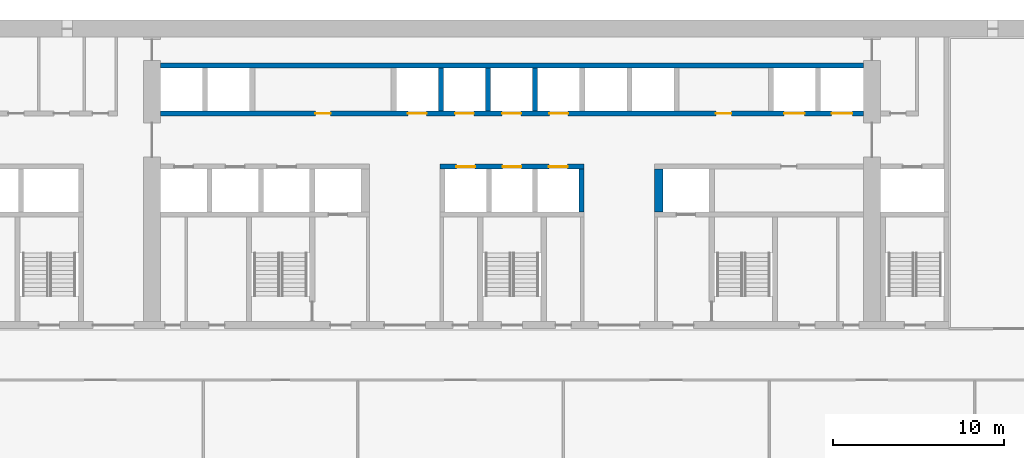
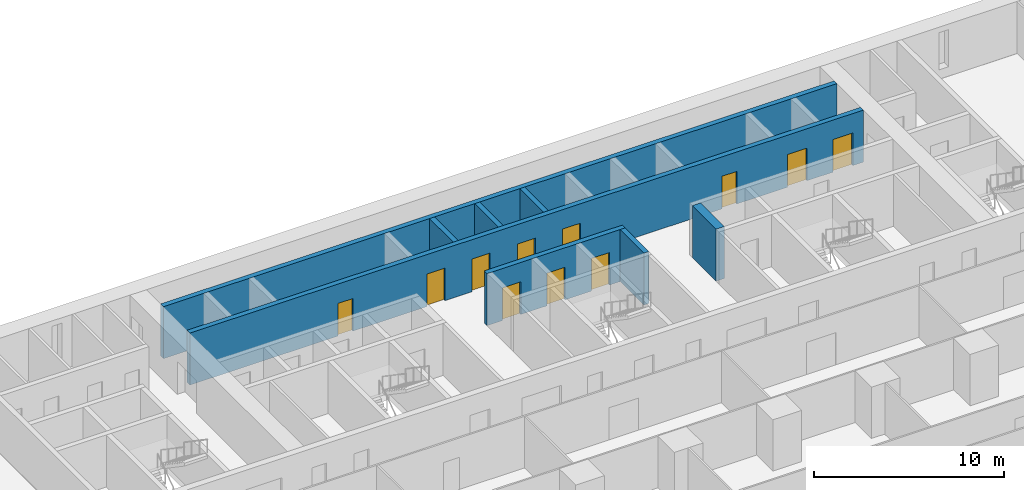
# One storey, part 11 of 18: 11 doors, 8 walls, 11 openings.
"""IFC4 building model written with IfcOpenShell, lengths in metres."""

from ifc_helpers import new_model, si_unit, direction, frame, frame_2d, origin, place, context, subcontext, project, spatial, rectangle, extrude, material, layer, layer_set, type_object, element, fill, save


model = new_model("IFC4")

# Units and contexts
model_context = context("Model", 3, precision=1e-05, world=origin(), true_north=direction((0.0, 1.0)))
body_context = subcontext(model_context, "Body", "Model", "MODEL_VIEW")
ifc_project = project(units=[si_unit("LENGTHUNIT", "METRE"), si_unit("AREAUNIT", "SQUARE_METRE"), si_unit("VOLUMEUNIT", "CUBIC_METRE"), si_unit("PLANEANGLEUNIT", "RADIAN"), si_unit("MASSUNIT", "GRAM", prefix="KILO")], contexts=[model_context])

# Site, building, storey
site_placement = place(None, origin())
site = spatial("IfcSite", under=ifc_project, at=site_placement, CompositionType="ELEMENT")
building_placement = place(site_placement, origin())
building = spatial("IfcBuilding", under=site, at=building_placement, Name="Calvaro Tower", CompositionType="ELEMENT")
storey_placement = place(building_placement, frame((0.0, 0.0, 37.5)))
storey = spatial("IfcBuildingStorey", under=building, at=storey_placement, Name="L08", CompositionType="ELEMENT", Elevation=37.5)

# Wall, openings, doors
ifc_material_1 = material(Name="Concrete C80/95", Category="concrete")
ifc_layer_1 = layer(ifc_material_1, 0.300048828125)
ifc_layer_set_1 = layer_set([ifc_layer_1], Name="Concrete C80/95")
wall_type_1 = type_object("IfcWallType", Name="Core wall C80/95 300", PredefinedType="SHEAR", material=ifc_layer_set_1)
wall_1_placement = place(storey_placement, frame((34.800048828125, 37.449951171875, 0.0), z_axis=(0.0, 0.0, 1.0), x_axis=(1.0, 0.0, 0.0)))
wall_1 = element("IfcWall", 1, at=wall_1_placement, inside=storey, type_object=wall_type_1, Name="Core wall, lift shaft", PredefinedType="SHEAR", context=body_context, shape_type="SweptSolid", body=[
    extrude(rectangle(XDim=8.39990234375, YDim=0.300048828125, at=frame_2d((4.199951171875, 0.0))), origin(), (0.0, 0.0, 1.0), 3.35009765625),
])
opening_1_placement = place(wall_1_placement, frame((0.949951171875, 0.0, 0.0)))
opening_1 = element("IfcOpeningElement", 2, at=opening_1_placement, cuts=wall_1, Name="Opening LR4", PredefinedType="OPENING", context=body_context, shape_type="SweptSolid", body=[
    extrude(rectangle(XDim=1.10009765625, YDim=2.10009765625, at=frame_2d((0.550048828125, 1.050048828125))), frame((0.0, 0.159912109375, 0.0), z_axis=(0.0, -1.0, 0.0), x_axis=(1.0, 0.0, 0.0)), (0.0, 0.0, 1.0), 0.320068359375),
])
opening_2_placement = place(wall_1_placement, frame((3.64990234375, 0.0, 0.0)))
opening_2 = element("IfcOpeningElement", 3, at=opening_2_placement, cuts=wall_1, Name="Opening LR5", PredefinedType="OPENING", context=body_context, shape_type="SweptSolid", body=[
    extrude(rectangle(XDim=1.10009765625, YDim=2.10009765625, at=frame_2d((0.550048828125, 1.050048828125))), frame((0.0, 0.159912109375, 0.0), z_axis=(0.0, -1.0, 0.0), x_axis=(1.0, 0.0, 0.0)), (0.0, 0.0, 1.0), 0.320068359375),
])
opening_3_placement = place(wall_1_placement, frame((6.35009765625, 0.0, 0.0)))
opening_3 = element("IfcOpeningElement", 4, at=opening_3_placement, cuts=wall_1, Name="Opening LR6", PredefinedType="OPENING", context=body_context, shape_type="SweptSolid", body=[
    extrude(rectangle(XDim=1.10009765625, YDim=2.10009765625, at=frame_2d((0.550048828125, 1.050048828125))), frame((0.0, 0.159912109375, 0.0), z_axis=(0.0, -1.0, 0.0), x_axis=(1.0, 0.0, 0.0)), (0.0, 0.0, 1.0), 0.320068359375),
])
ifc_material_2 = material(Name="Stainless steel", Category="steel")
door_type_1 = type_object("IfcDoorType", Name="Landing door 1100 E 60", OperationType="SLIDING_TO_LEFT", PredefinedType="DOOR", material=ifc_material_2)
door_1_placement = place(opening_1_placement, origin())
door_1 = element("IfcDoor", 5, at=door_1_placement, inside=storey, type_object=door_type_1, Name="Landing door LR4", OperationType="SLIDING_TO_LEFT", OverallHeight=2.10009765625, OverallWidth=1.10009765625, PredefinedType="DOOR", context=body_context, shape_type="SweptSolid", body=[
    extrude(rectangle(XDim=1.10009765625, YDim=2.10009765625, at=frame_2d((0.550048828125, 1.050048828125))), frame((0.0, 0.02490234375, 0.0), z_axis=(0.0, -1.0, 0.0), x_axis=(1.0, 0.0, 0.0)), (0.0, 0.0, 1.0), 0.050048828125),
])
fill(opening_1, door_1)
door_2_placement = place(opening_2_placement, origin())
door_2 = element("IfcDoor", 6, at=door_2_placement, inside=storey, type_object=door_type_1, Name="Landing door LR5", OperationType="SLIDING_TO_LEFT", OverallHeight=2.10009765625, OverallWidth=1.10009765625, PredefinedType="DOOR", context=body_context, shape_type="SweptSolid", body=[
    extrude(rectangle(XDim=1.10009765625, YDim=2.10009765625, at=frame_2d((0.550048828125, 1.050048828125))), frame((0.0, 0.02490234375, 0.0), z_axis=(0.0, -1.0, 0.0), x_axis=(1.0, 0.0, 0.0)), (0.0, 0.0, 1.0), 0.050048828125),
])
fill(opening_2, door_2)
door_3_placement = place(opening_3_placement, origin())
door_3 = element("IfcDoor", 7, at=door_3_placement, inside=storey, type_object=door_type_1, Name="Landing door LR6", OperationType="SLIDING_TO_LEFT", OverallHeight=2.10009765625, OverallWidth=1.10009765625, PredefinedType="DOOR", context=body_context, shape_type="SweptSolid", body=[
    extrude(rectangle(XDim=1.10009765625, YDim=2.10009765625, at=frame_2d((0.550048828125, 1.050048828125))), frame((0.0, 0.02490234375, 0.0), z_axis=(0.0, -1.0, 0.0), x_axis=(1.0, 0.0, 0.0)), (0.0, 0.0, 1.0), 0.050048828125),
])
fill(opening_3, door_3)

# Wall
wall_2_placement = place(storey_placement, frame((43.050048828125, 34.800048828125, 0.0), z_axis=(0.0, 0.0, 1.0), x_axis=(0.0, 1.0, 0.0)))
element("IfcWall", 8, at=wall_2_placement, inside=storey, type_object=wall_type_1, Name="Core wall, lift shaft", PredefinedType="SHEAR", context=body_context, shape_type="SweptSolid", body=[
    extrude(rectangle(XDim=2.5, YDim=0.300048828125, at=frame_2d((1.25, 0.0))), origin(), (0.0, 0.0, 1.0), 3.35009765625),
])

# Wall, openings, doors
wall_3_placement = place(storey_placement, frame((18.5, 40.550048828125, 0.0), z_axis=(0.0, 0.0, 1.0), x_axis=(1.0, 0.0, 0.0)))
wall_3 = element("IfcWall", 9, at=wall_3_placement, inside=storey, type_object=wall_type_1, Name="Core wall, bay", PredefinedType="SHEAR", context=body_context, shape_type="SweptSolid", body=[
    extrude(rectangle(XDim=41.0, YDim=0.300048828125, at=frame_2d((20.5, 0.0))), origin(), (0.0, 0.0, 1.0), 3.35009765625),
])
opening_4_placement = place(wall_3_placement, frame((9.02490234375, 0.0, 0.0)))
opening_4 = element("IfcOpeningElement", 10, at=opening_4_placement, cuts=wall_3, Name="Opening RD9E", PredefinedType="OPENING", context=body_context, shape_type="SweptSolid", body=[
    extrude(rectangle(XDim=0.89990234375, YDim=2.10009765625, at=frame_2d((0.449951171875, 1.050048828125))), frame((0.0, 0.159912109375, 0.0), z_axis=(0.0, -1.0, 0.0), x_axis=(1.0, 0.0, 0.0)), (0.0, 0.0, 1.0), 0.320068359375),
])
opening_5_placement = place(wall_3_placement, frame((32.39990234375, 0.0, 0.0)))
opening_5 = element("IfcOpeningElement", 11, at=opening_5_placement, cuts=wall_3, Name="Opening RD9E", PredefinedType="OPENING", context=body_context, shape_type="SweptSolid", body=[
    extrude(rectangle(XDim=0.89990234375, YDim=2.10009765625, at=frame_2d((0.449951171875, 1.050048828125))), frame((0.0, 0.159912109375, 0.0), z_axis=(0.0, -1.0, 0.0), x_axis=(1.0, 0.0, 0.0)), (0.0, 0.0, 1.0), 0.320068359375),
])
opening_6_placement = place(wall_3_placement, frame((14.425048828125, 0.0, 0.0)))
opening_6 = element("IfcOpeningElement", 12, at=opening_6_placement, cuts=wall_3, Name="Opening LR7", PredefinedType="OPENING", context=body_context, shape_type="SweptSolid", body=[
    extrude(rectangle(XDim=1.10009765625, YDim=2.10009765625, at=frame_2d((0.550048828125, 1.050048828125))), frame((0.0, 0.159912109375, 0.0), z_axis=(0.0, -1.0, 0.0), x_axis=(1.0, 0.0, 0.0)), (0.0, 0.0, 1.0), 0.320068359375),
])
opening_7_placement = place(wall_3_placement, frame((17.175048828125, 0.0, 0.0)))
opening_7 = element("IfcOpeningElement", 13, at=opening_7_placement, cuts=wall_3, Name="Opening LR8", PredefinedType="OPENING", context=body_context, shape_type="SweptSolid", body=[
    extrude(rectangle(XDim=1.10009765625, YDim=2.10009765625, at=frame_2d((0.550048828125, 1.050048828125))), frame((0.0, 0.159912109375, 0.0), z_axis=(0.0, -1.0, 0.0), x_axis=(1.0, 0.0, 0.0)), (0.0, 0.0, 1.0), 0.320068359375),
])
opening_8_placement = place(wall_3_placement, frame((19.925048828125, 0.0, 0.0)))
opening_8 = element("IfcOpeningElement", 14, at=opening_8_placement, cuts=wall_3, Name="Opening LR9", PredefinedType="OPENING", context=body_context, shape_type="SweptSolid", body=[
    extrude(rectangle(XDim=1.10009765625, YDim=2.10009765625, at=frame_2d((0.550048828125, 1.050048828125))), frame((0.0, 0.159912109375, 0.0), z_axis=(0.0, -1.0, 0.0), x_axis=(1.0, 0.0, 0.0)), (0.0, 0.0, 1.0), 0.320068359375),
])
opening_9_placement = place(wall_3_placement, frame((22.675048828125, 0.0, 0.0)))
opening_9 = element("IfcOpeningElement", 15, at=opening_9_placement, cuts=wall_3, Name="Opening LR10", PredefinedType="OPENING", context=body_context, shape_type="SweptSolid", body=[
    extrude(rectangle(XDim=1.10009765625, YDim=2.10009765625, at=frame_2d((0.550048828125, 1.050048828125))), frame((0.0, 0.159912109375, 0.0), z_axis=(0.0, -1.0, 0.0), x_axis=(1.0, 0.0, 0.0)), (0.0, 0.0, 1.0), 0.320068359375),
])
opening_10_placement = place(wall_3_placement, frame((36.375, 0.0, 0.0)))
opening_10 = element("IfcOpeningElement", 16, at=opening_10_placement, cuts=wall_3, Name="Opening SV1", PredefinedType="OPENING", context=body_context, shape_type="SweptSolid", body=[
    extrude(rectangle(XDim=1.199951171875, YDim=2.10009765625, at=frame_2d((0.60009765625, 1.050048828125))), frame((0.0, 0.159912109375, 0.0), z_axis=(0.0, -1.0, 0.0), x_axis=(1.0, 0.0, 0.0)), (0.0, 0.0, 1.0), 0.320068359375),
])
opening_11_placement = place(wall_3_placement, frame((39.14990234375, 0.0, 0.0)))
opening_11 = element("IfcOpeningElement", 17, at=opening_11_placement, cuts=wall_3, Name="Opening SV2", PredefinedType="OPENING", context=body_context, shape_type="SweptSolid", body=[
    extrude(rectangle(XDim=1.199951171875, YDim=2.10009765625, at=frame_2d((0.60009765625, 1.050048828125))), frame((0.0, 0.159912109375, 0.0), z_axis=(0.0, -1.0, 0.0), x_axis=(1.0, 0.0, 0.0)), (0.0, 0.0, 1.0), 0.320068359375),
])
door_4_placement = place(opening_6_placement, origin())
door_4 = element("IfcDoor", 18, at=door_4_placement, inside=storey, type_object=door_type_1, Name="Landing door LR7", OperationType="SLIDING_TO_LEFT", OverallHeight=2.10009765625, OverallWidth=1.10009765625, PredefinedType="DOOR", context=body_context, shape_type="SweptSolid", body=[
    extrude(rectangle(XDim=1.10009765625, YDim=2.10009765625, at=frame_2d((0.550048828125, 1.050048828125))), frame((0.0, 0.02490234375, 0.0), z_axis=(0.0, -1.0, 0.0), x_axis=(1.0, 0.0, 0.0)), (0.0, 0.0, 1.0), 0.050048828125),
])
fill(opening_6, door_4)
door_5_placement = place(opening_7_placement, origin())
door_5 = element("IfcDoor", 19, at=door_5_placement, inside=storey, type_object=door_type_1, Name="Landing door LR8", OperationType="SLIDING_TO_LEFT", OverallHeight=2.10009765625, OverallWidth=1.10009765625, PredefinedType="DOOR", context=body_context, shape_type="SweptSolid", body=[
    extrude(rectangle(XDim=1.10009765625, YDim=2.10009765625, at=frame_2d((0.550048828125, 1.050048828125))), frame((0.0, 0.02490234375, 0.0), z_axis=(0.0, -1.0, 0.0), x_axis=(1.0, 0.0, 0.0)), (0.0, 0.0, 1.0), 0.050048828125),
])
fill(opening_7, door_5)
door_6_placement = place(opening_8_placement, origin())
door_6 = element("IfcDoor", 20, at=door_6_placement, inside=storey, type_object=door_type_1, Name="Landing door LR9", OperationType="SLIDING_TO_LEFT", OverallHeight=2.10009765625, OverallWidth=1.10009765625, PredefinedType="DOOR", context=body_context, shape_type="SweptSolid", body=[
    extrude(rectangle(XDim=1.10009765625, YDim=2.10009765625, at=frame_2d((0.550048828125, 1.050048828125))), frame((0.0, 0.02490234375, 0.0), z_axis=(0.0, -1.0, 0.0), x_axis=(1.0, 0.0, 0.0)), (0.0, 0.0, 1.0), 0.050048828125),
])
fill(opening_8, door_6)
door_7_placement = place(opening_9_placement, origin())
door_7 = element("IfcDoor", 21, at=door_7_placement, inside=storey, type_object=door_type_1, Name="Landing door LR10", OperationType="SLIDING_TO_LEFT", OverallHeight=2.10009765625, OverallWidth=1.10009765625, PredefinedType="DOOR", context=body_context, shape_type="SweptSolid", body=[
    extrude(rectangle(XDim=1.10009765625, YDim=2.10009765625, at=frame_2d((0.550048828125, 1.050048828125))), frame((0.0, 0.02490234375, 0.0), z_axis=(0.0, -1.0, 0.0), x_axis=(1.0, 0.0, 0.0)), (0.0, 0.0, 1.0), 0.050048828125),
])
fill(opening_9, door_7)
ifc_material_3 = material(Name="Stainless steel", Category="steel")
door_type_2 = type_object("IfcDoorType", Name="Landing door 1200 E 60", OperationType="SLIDING_TO_LEFT", PredefinedType="DOOR", material=ifc_material_3)
door_8_placement = place(opening_10_placement, origin())
door_8 = element("IfcDoor", 22, at=door_8_placement, inside=storey, type_object=door_type_2, Name="Landing door SV1", OperationType="SLIDING_TO_LEFT", OverallHeight=2.10009765625, OverallWidth=1.199951171875, PredefinedType="DOOR", context=body_context, shape_type="SweptSolid", body=[
    extrude(rectangle(XDim=1.199951171875, YDim=2.10009765625, at=frame_2d((0.60009765625, 1.050048828125))), frame((0.0, 0.02490234375, 0.0), z_axis=(0.0, -1.0, 0.0), x_axis=(1.0, 0.0, 0.0)), (0.0, 0.0, 1.0), 0.050048828125),
])
fill(opening_10, door_8)
door_9_placement = place(opening_11_placement, origin())
door_9 = element("IfcDoor", 23, at=door_9_placement, inside=storey, type_object=door_type_2, Name="Landing door SV2", OperationType="SLIDING_TO_LEFT", OverallHeight=2.10009765625, OverallWidth=1.199951171875, PredefinedType="DOOR", context=body_context, shape_type="SweptSolid", body=[
    extrude(rectangle(XDim=1.199951171875, YDim=2.10009765625, at=frame_2d((0.60009765625, 1.050048828125))), frame((0.0, 0.02490234375, 0.0), z_axis=(0.0, -1.0, 0.0), x_axis=(1.0, 0.0, 0.0)), (0.0, 0.0, 1.0), 0.050048828125),
])
fill(opening_11, door_9)
ifc_material_4 = material(Name="Steel door set", Category="steel")
door_type_3 = type_object("IfcDoorType", Name="Room door 900 FD60", OperationType="SINGLE_SWING_LEFT", PredefinedType="DOOR", material=ifc_material_4)
door_10_placement = place(opening_4_placement, origin())
door_10 = element("IfcDoor", 24, at=door_10_placement, inside=storey, type_object=door_type_3, Name="Room door", OperationType="SINGLE_SWING_RIGHT", OverallHeight=2.10009765625, OverallWidth=0.89990234375, PredefinedType="DOOR", context=body_context, shape_type="SweptSolid", body=[
    extrude(rectangle(XDim=0.89990234375, YDim=2.10009765625, at=frame_2d((0.449951171875, 1.050048828125))), frame((0.0, 0.02490234375, 0.0), z_axis=(0.0, -1.0, 0.0), x_axis=(1.0, 0.0, 0.0)), (0.0, 0.0, 1.0), 0.050048828125),
])
fill(opening_4, door_10)
door_11_placement = place(opening_5_placement, origin())
door_11 = element("IfcDoor", 25, at=door_11_placement, inside=storey, type_object=door_type_3, Name="Room door", OperationType="SINGLE_SWING_LEFT", OverallHeight=2.10009765625, OverallWidth=0.89990234375, PredefinedType="DOOR", context=body_context, shape_type="SweptSolid", body=[
    extrude(rectangle(XDim=0.89990234375, YDim=2.10009765625, at=frame_2d((0.449951171875, 1.050048828125))), frame((0.0, 0.02490234375, 0.0), z_axis=(0.0, -1.0, 0.0), x_axis=(1.0, 0.0, 0.0)), (0.0, 0.0, 1.0), 0.050048828125),
])
fill(opening_5, door_11)

# Walls
wall_4_placement = place(storey_placement, frame((18.5, 43.35009765625, 0.0), z_axis=(0.0, 0.0, 1.0), x_axis=(1.0, 0.0, 0.0)))
element("IfcWall", 26, at=wall_4_placement, inside=storey, type_object=wall_type_1, Name="Core wall, lift shaft", PredefinedType="SHEAR", context=body_context, shape_type="SweptSolid", body=[
    extrude(rectangle(XDim=41.0, YDim=0.300048828125, at=frame_2d((20.5, 0.0))), origin(), (0.0, 0.0, 1.0), 3.35009765625),
])
for number, where, z_axis, x_axis, name in (
    (27, (34.85009765625, 40.699951171875, 0.0), (0.0, 0.0, 1.0), (0.0, 1.0, 0.0), "Core wall, lift shaft"),
    (28, (37.60009765625, 40.699951171875, 0.0), (0.0, 0.0, 1.0), (0.0, 1.0, 0.0), "Core wall, lift shaft"),
    (29, (40.35009765625, 40.699951171875, 0.0), (0.0, 0.0, 1.0), (0.0, 1.0, 0.0), "Core wall, lift shaft"),
):
    element("IfcWall", number, at=place(storey_placement, frame(where, z_axis=z_axis, x_axis=x_axis)), inside=storey, type_object=wall_type_1, Name=name, PredefinedType="SHEAR", context=body_context, shape_type="SweptSolid", body=[
        extrude(rectangle(XDim=2.5, YDim=0.300048828125, at=frame_2d((1.25, 0.0))), origin(), (0.0, 0.0, 1.0), 3.35009765625),
    ])
ifc_material_5 = material(Name="Concrete C80/95", Category="concrete")
ifc_layer_2 = layer(ifc_material_5, 0.5)
ifc_layer_set_2 = layer_set([ifc_layer_2], Name="Concrete C80/95")
wall_type_2 = type_object("IfcWallType", Name="Core wall C80/95 500", PredefinedType="SHEAR", material=ifc_layer_set_2)
wall_5_placement = place(storey_placement, frame((47.550048828125, 34.800048828125, 0.0), z_axis=(0.0, 0.0, 1.0), x_axis=(0.0, 1.0, 0.0)))
element("IfcWall", 30, at=wall_5_placement, inside=storey, type_object=wall_type_2, Name="Core wall, lift shaft", PredefinedType="SHEAR", context=body_context, shape_type="SweptSolid", body=[
    extrude(rectangle(XDim=2.5, YDim=0.5, at=frame_2d((1.25, 0.0))), origin(), (0.0, 0.0, 1.0), 3.35009765625),
])

save(model, "model.ifc")
